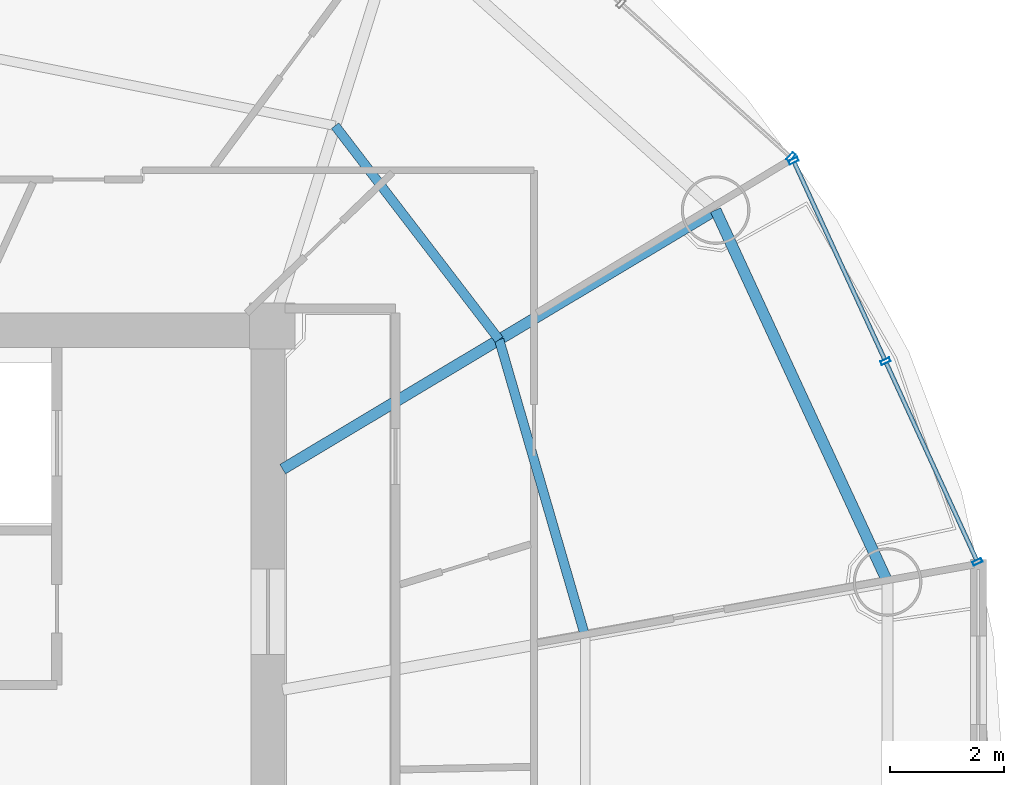
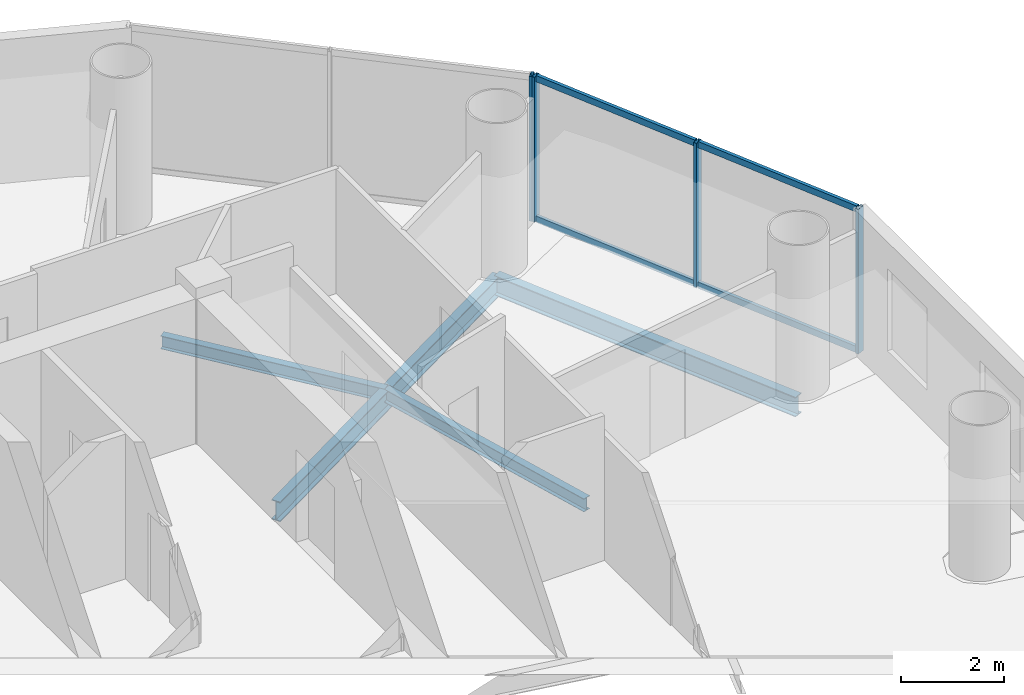
# One storey, part 13 of 26: 8 members, 4 beams, 2 elements without a shape of their own.
"""IFC4 building model written with IfcOpenShell, lengths in metres."""

import ifcopenshell
import ifcopenshell.guid

model = None  # the IFC model being written
_history = None  # IfcOwnerHistory: only IFC2X3 demands one
_inside = {}  # id of a spatial element -> (the spatial element, [elements in it])
_under = {}  # id of a project, library or spatial element -> (it, [spatial elements below it])
_declared = {}  # id of a project -> (the project, [libraries it declares])
_typed = {}  # id of a type object -> (the type object, [elements of that type])
_made_of = {}  # id of a material, layer set ... -> (it, [elements and type objects made of it])


def new_model(schema):
    """Start an empty IFC model of exactly this schema.

    Asked for "IFC4X3", IfcOpenShell would pick the latest addendum, in which some entities
    have other attributes; the version numbers below select the first issue.
    IFC2X3 requires an IfcOwnerHistory on every rooted entity: one is made here for all.
    """
    global model, _history
    if schema == "IFC4X3":
        model = ifcopenshell.file(schema_version=(4, 3, 0, 0))
    else:
        model = ifcopenshell.file(schema=schema)
    _inside.clear()
    _under.clear()
    _declared.clear()
    _typed.clear()
    _made_of.clear()
    _history = None
    if model.schema == "IFC2X3":
        org = make("IfcOrganization", Name="unknown")
        user = make(
            "IfcPersonAndOrganization",
            ThePerson=make("IfcPerson", FamilyName="unknown"),
            TheOrganization=org,
        )
        app = make(
            "IfcApplication",
            ApplicationDeveloper=org,
            Version="unknown",
            ApplicationFullName="unknown",
            ApplicationIdentifier="unknown",
        )
        _history = make(
            "IfcOwnerHistory",
            OwningUser=user,
            OwningApplication=app,
            ChangeAction="ADDED",
            CreationDate=0,
        )
    return model


def make(cls, **values):
    """One entity of the class cls with the attributes given. An attribute that is None is left unset."""
    return model.create_entity(
        cls, **{name: value for name, value in values.items() if value is not None}
    )


def rooted(cls, **values):
    """An entity with a GlobalId (a new one), such as an element, a storey or a relation."""
    return make(cls, GlobalId=ifcopenshell.guid.new(), OwnerHistory=_history, **values)


def si_unit(unit_type, name, prefix=None):
    """IfcSIUnit, for example si_unit("LENGTHUNIT", "METRE", prefix="MILLI")."""
    return make("IfcSIUnit", UnitType=unit_type, Prefix=prefix, Name=name)


def assignment(units):
    """IfcUnitAssignment: the units of a project."""
    return None if units is None else make("IfcUnitAssignment", Units=units)


def point(xyz):
    """IfcCartesianPoint."""
    return None if xyz is None else make("IfcCartesianPoint", Coordinates=xyz)


def direction(xyz):
    """IfcDirection."""
    return None if xyz is None else make("IfcDirection", DirectionRatios=xyz)


def frame(location, z_axis=None, x_axis=None):
    """IfcAxis2Placement3D, a coordinate frame: its origin and axes. An axis left out is left unset."""
    return make(
        "IfcAxis2Placement3D",
        Location=point(location),
        Axis=direction(z_axis),
        RefDirection=direction(x_axis),
    )


def frame_2d(location, x_axis=None):
    """IfcAxis2Placement2D, a coordinate frame in the plane: its origin and x axis."""
    return make(
        "IfcAxis2Placement2D", Location=point(location), RefDirection=direction(x_axis)
    )


def origin():
    """The frame at (0, 0, 0) with its axes left unset."""
    return frame((0.0, 0.0, 0.0))


def origin_2d():
    """The frame at (0, 0) in the plane with its x axis left unset."""
    return frame_2d((0.0, 0.0))


def place(relative_to, where):
    """IfcLocalPlacement: puts the frame where relative to a parent placement (None: the world)."""
    return make(
        "IfcLocalPlacement", PlacementRelTo=relative_to, RelativePlacement=where
    )


def context(
    kind, dimensions, precision=None, world=None, true_north=None, identifier=None
):
    """IfcGeometricRepresentationContext, for example the 3D "Model" context."""
    return make(
        "IfcGeometricRepresentationContext",
        ContextIdentifier=identifier,
        ContextType=kind,
        CoordinateSpaceDimension=dimensions,
        Precision=precision,
        WorldCoordinateSystem=world,
        TrueNorth=true_north,
    )


def subcontext(parent, identifier, kind, view, scale=None):
    """IfcGeometricRepresentationSubContext, for example "Body" below "Model"."""
    return make(
        "IfcGeometricRepresentationSubContext",
        ContextIdentifier=identifier,
        ContextType=kind,
        ParentContext=parent,
        TargetScale=scale,
        TargetView=view,
    )


def project(units=None, contexts=None):
    """IfcProject with its units and contexts."""
    return rooted(
        "IfcProject",
        Name="project",
        RepresentationContexts=contexts,
        UnitsInContext=assignment(units),
    )


def spatial(cls, under=None, at=None, **own):
    """A site, building, storey or space (cls), placed at a placement, below another one or the project."""
    s = rooted(cls, ObjectPlacement=at, **own)
    if under is not None:
        _under.setdefault(under.id(), (under, []))[1].append(s)
    return s


def profile(cls, at=None, kind="AREA", **sizes):
    """A parametric profile (cls). Its sizes go by their IFC names, for example OverallWidth=200.0."""
    return make(cls, ProfileType=kind, Position=at, **sizes)


def hollow_rectangle(**sizes):
    """IfcRectangleHollowProfileDef."""
    return profile("IfcRectangleHollowProfileDef", **sizes)


def i_section(**sizes):
    """IfcIShapeProfileDef."""
    return profile("IfcIShapeProfileDef", **sizes)


def extrude(swept, where, along, depth):
    """IfcExtrudedAreaSolid: the profile swept, set in the frame where, extruded along a direction by depth."""
    return make(
        "IfcExtrudedAreaSolid",
        SweptArea=swept,
        Position=where,
        ExtrudedDirection=direction(along),
        Depth=depth,
    )


def shape(context_of_items, identifier, shape_type, items):
    """IfcShapeRepresentation: the items that make up one representation, for example the "Body"."""
    return make(
        "IfcShapeRepresentation",
        ContextOfItems=context_of_items,
        RepresentationIdentifier=identifier,
        RepresentationType=shape_type,
        Items=items,
    )


def source(mapping_origin, context_of_items, identifier, shape_type, items):
    """IfcRepresentationMap: a shape defined once, which mapped items show again and again."""
    return make(
        "IfcRepresentationMap",
        MappingOrigin=mapping_origin,
        MappedRepresentation=shape(context_of_items, identifier, shape_type, items),
    )


def transform(
    local_origin,
    x_axis=None,
    y_axis=None,
    z_axis=None,
    scale=None,
    scale2=None,
    scale3=None,
    uniform=True,
):
    """IfcCartesianTransformationOperator3D, or its non-uniform kind. x_axis, y_axis, z_axis: its Axis1, 2, 3."""
    if uniform:
        return make(
            "IfcCartesianTransformationOperator3D",
            Axis1=direction(x_axis),
            Axis2=direction(y_axis),
            LocalOrigin=point(local_origin),
            Scale=scale,
            Axis3=direction(z_axis),
        )
    return make(
        "IfcCartesianTransformationOperator3DnonUniform",
        Axis1=direction(x_axis),
        Axis2=direction(y_axis),
        LocalOrigin=point(local_origin),
        Scale=scale,
        Axis3=direction(z_axis),
        Scale2=scale2,
        Scale3=scale3,
    )


def mapped(mapping_source, mapping_target):
    """IfcMappedItem: shows the shape of a source again, moved by a transform."""
    return make(
        "IfcMappedItem", MappingSource=mapping_source, MappingTarget=mapping_target
    )


def material(Name=None, Category=None):
    """IfcMaterial."""
    return make("IfcMaterial", Name=Name, Category=Category)


def material_profile(
    of_material, cross_section, Name=None, Category=None, Priority=None
):
    """IfcMaterialProfile: a cross section and its material."""
    return make(
        "IfcMaterialProfile",
        Name=Name,
        Material=of_material,
        Profile=cross_section,
        Priority=Priority,
        Category=Category,
    )


def profile_set(profiles, Name=None, composite=None):
    """IfcMaterialProfileSet."""
    return make(
        "IfcMaterialProfileSet",
        Name=Name,
        MaterialProfiles=profiles,
        CompositeProfile=composite,
    )


def made_of(thing, what):
    """Note that an element or type object is made of a material, layer set ...; save() writes the relation."""
    if what is not None:
        _made_of.setdefault(what.id(), (what, []))[1].append(thing)
    return thing


def type_object(cls, material=None, **own):
    """A type object (cls), such as IfcWallType, which elements share."""
    return made_of(rooted(cls, **own), material)


def element(
    cls,
    number,
    at=None,
    inside=None,
    cuts=None,
    type_object=None,
    material=None,
    context=None,
    identifier="Body",
    shape_type=None,
    held_by="IfcProductDefinitionShape",
    body=None,
    shapes=None,
    **own,
):
    """One element of the class cls, such as IfcWall. Its Tag is "e" and its number.

    at: its placement. inside: the storey or other place that contains it. cuts: it is an
    opening in that element (IfcRelVoidsElement). A single representation is given by context,
    identifier, shape_type and body (its items); several are given by shapes. held_by: the class
    of the entity that holds the representations. save() writes the other relations.
    """
    e = rooted(cls, Tag="e%d" % number, ObjectPlacement=at, **own)
    if body is not None:
        shapes = [shape(context, identifier, shape_type, body)]
    if shapes is not None:
        e.Representation = make(held_by, Representations=shapes)
    if inside is not None:
        _inside.setdefault(inside.id(), (inside, []))[1].append(e)
    if cuts is not None:
        rooted(
            "IfcRelVoidsElement", RelatingBuildingElement=cuts, RelatedOpeningElement=e
        )
    if type_object is not None:
        _typed.setdefault(type_object.id(), (type_object, []))[1].append(e)
    return made_of(e, material)


def aggregate(whole, parts):
    """IfcRelAggregates: a whole, such as a stair, and the parts it consists of."""
    return rooted("IfcRelAggregates", RelatingObject=whole, RelatedObjects=parts)


def save(model, path):
    """Write the relations noted so far, then the file.

    IfcRelAggregates (storeys below a building ...), IfcRelContainedInSpatialStructure (elements
    in a storey), IfcRelDefinesByType, IfcRelAssociatesMaterial and IfcRelDeclares: one each for
    every whole, place, type object, material and project.
    """
    for whole, parts in _under.values():
        aggregate(whole, parts)
    for where, things in _inside.values():
        rooted(
            "IfcRelContainedInSpatialStructure",
            RelatedElements=things,
            RelatingStructure=where,
        )
    for kind, things in _typed.values():
        rooted("IfcRelDefinesByType", RelatedObjects=things, RelatingType=kind)
    for what, things in _made_of.values():
        rooted("IfcRelAssociatesMaterial", RelatedObjects=things, RelatingMaterial=what)
    for by, libraries in _declared.values():
        rooted("IfcRelDeclares", RelatingContext=by, RelatedDefinitions=libraries)
    model.write(path)


model = new_model("IFC4")

# Units and contexts
model_context = context("Model", 3, precision=1e-05, world=origin(), true_north=direction((-0.2419218956, 0.970295726276)))
body_context = subcontext(model_context, "Body", "Model", "MODEL_VIEW")
ifc_project = project(units=[si_unit("LENGTHUNIT", "METRE"), si_unit("AREAUNIT", "SQUARE_METRE"), si_unit("VOLUMEUNIT", "CUBIC_METRE"), si_unit("PLANEANGLEUNIT", "RADIAN"), si_unit("MASSUNIT", "GRAM", prefix="KILO")], contexts=[model_context])

# Site, building, storey
site_placement = place(None, origin())
site = spatial("IfcSite", under=ifc_project, at=site_placement, CompositionType="ELEMENT")
building_placement = place(site_placement, origin())
building = spatial("IfcBuilding", under=site, at=building_placement, Name="Cobrevalo Terracotta Tower", CompositionType="ELEMENT")
storey_placement = place(building_placement, frame((0.0, 0.0, 209.699951171875)))
storey = spatial("IfcBuildingStorey", under=building, at=storey_placement, Name="L55", CompositionType="ELEMENT", Elevation=209.699951171875)

# Beams
ifc_material_1 = material(Name="Steel S355", Category="steel")
ifc_material_profile_1 = material_profile(ifc_material_1, i_section(OverallWidth=0.194091796875, OverallDepth=0.468994140625, WebThickness=0.011474609375, FlangeThickness=0.0205078125, at=origin_2d()), Name="W 460x106")
ifc_profile_set_1 = profile_set([ifc_material_profile_1], Name="Steel S355")
beam_type_1 = type_object("IfcBeamType", Name="Structural Beam W 460x106 (Steel S355)", PredefinedType="BEAM", material=ifc_profile_set_1)
beam_1_placement = place(storey_placement, frame((54.754150390625, 36.828125, -0.49951171875), z_axis=(-0.858046392192, -0.513572184651, 0.0), x_axis=(0.513572184651, -0.858046392192, 0.0)))
element("IfcBeam", 1, at=beam_1_placement, inside=storey, type_object=beam_type_1, Name="L55 radial floor girder 02", PredefinedType="BEAM", context=body_context, shape_type="SweptSolid", body=[
    extrude(i_section(OverallWidth=0.194091796875, OverallDepth=0.468994140625, WebThickness=0.011474609375, FlangeThickness=0.0205078125, at=origin_2d()), origin(), (0.0, 0.0, 1.0), 8.827392578125),
])
ifc_material_profile_2 = material_profile(ifc_material_1, i_section(OverallWidth=0.1650390625, OverallDepth=0.31005859375, WebThickness=0.005859375, FlangeThickness=0.009765625, at=origin_2d()), Name="W 310x38.7")
ifc_profile_set_2 = profile_set([ifc_material_profile_2], Name="Steel S355")
beam_type_2 = type_object("IfcBeamType", Name="Structural Joist W 310x38.7 (Steel S355)", PredefinedType="JOIST", material=ifc_profile_set_2)
beam_2_placement = place(storey_placement, frame((52.471435546875, 29.378662109375, -0.419921875), z_axis=(-0.278769817131, 0.960357948401, 0.0), x_axis=(-0.960357948401, -0.278769817131, 0.0)))
element("IfcBeam", 2, at=beam_2_placement, inside=storey, type_object=beam_type_2, Name="L55 circumferential secondary floor joist 01", PredefinedType="JOIST", context=body_context, shape_type="SweptSolid", body=[
    extrude(i_section(OverallWidth=0.1650390625, OverallDepth=0.31005859375, WebThickness=0.005859375, FlangeThickness=0.009765625, at=origin_2d()), origin(), (0.0, 0.0, 1.0), 5.396484375),
])
beam_3_placement = place(storey_placement, frame((50.967041015625, 34.561279296875, -0.419921875), z_axis=(-0.608464146296, 0.793581364872, 0.0), x_axis=(-0.793581364872, -0.608464146296, 0.0)))
element("IfcBeam", 3, at=beam_3_placement, inside=storey, type_object=beam_type_2, Name="L55 circumferential secondary floor joist 02", PredefinedType="JOIST", context=body_context, shape_type="SweptSolid", body=[
    extrude(i_section(OverallWidth=0.1650390625, OverallDepth=0.31005859375, WebThickness=0.005859375, FlangeThickness=0.009765625, at=origin_2d()), origin(), (0.0, 0.0, 1.0), 4.716064453125),
])
ifc_material_profile_3 = material_profile(ifc_material_1, i_section(OverallWidth=0.194091796875, OverallDepth=0.468994140625, WebThickness=0.011474609375, FlangeThickness=0.0205078125, at=origin_2d()), Name="W 460x106")
ifc_profile_set_3 = profile_set([ifc_material_profile_3], Name="Steel S355")
beam_type_3 = type_object("IfcBeamType", Name="Structural Spandrel W 460x106 (Steel S355)", PredefinedType="SPANDREL", material=ifc_profile_set_3)
beam_4_placement = place(storey_placement, frame((57.762939453125, 30.3212890625, -0.49951171875), z_axis=(-0.419705965131, 0.907660125176, 0.0), x_axis=(-0.907660125176, -0.419705965131, 0.0)))
element("IfcBeam", 4, at=beam_4_placement, inside=storey, type_object=beam_type_3, Name="L55 perimeter ring spandrel 01", PredefinedType="SPANDREL", context=body_context, shape_type="SweptSolid", body=[
    extrude(i_section(OverallWidth=0.194091796875, OverallDepth=0.468994140625, WebThickness=0.011474609375, FlangeThickness=0.0205078125, at=origin_2d()), origin(), (0.0, 0.0, 1.0), 7.168701171875),
])

# Curtain wall, members
ifc_material_2 = material(Name="Anodized aluminium", Category="aluminium")
curtain_wall_type = type_object("IfcCurtainWallType", Name="Mid-tower high-wind unitised curtain wall CW-U2", PredefinedType="NOTDEFINED", material=ifc_material_2)
curtain_wall_1_placement = place(storey_placement, origin())
curtain_wall_1 = element("IfcCurtainWall", 5, at=curtain_wall_1_placement, inside=storey, type_object=curtain_wall_type, Name="L55 curtain wall CW-L55-S01", PredefinedType="NOTDEFINED")
ifc_material_profile_4 = material_profile(ifc_material_2, hollow_rectangle(XDim=0.074951171875, YDim=0.14990234375, WallThickness=0.00439453125, at=origin_2d()), Name="CWT 75x150")
ifc_profile_set_4 = profile_set([ifc_material_profile_4], Name="Anodized aluminium")
member_type_1 = type_object("IfcMemberType", Name="Tower unitised aluminium transom 75x150", PredefinedType="USERDEFINED", material=ifc_profile_set_4)
shared_shape_1 = source(origin(), body_context, "Body", "SweptSolid", [
    extrude(hollow_rectangle(XDim=0.074951171875, YDim=0.14990234375, WallThickness=0.00439453125, at=origin_2d()), origin(), (0.0, 0.0, 1.0), 3.780029296875),
])
member_1_placement = place(storey_placement, frame((59.318359375, 30.710205078125, 0.050048828125), z_axis=(-0.416705859352, 0.909041377926, 0.0), x_axis=(-0.909041377926, -0.416705859352, 0.0)))
member_1 = element("IfcMember", 6, at=member_1_placement, type_object=member_type_1, Name="CW-L55-S01 transom B01-T1", ObjectType="TRANSOM", PredefinedType="USERDEFINED", context=body_context, shape_type="MappedRepresentation", body=[
    mapped(shared_shape_1, transform((0.0, 0.0, 0.0), scale=1.0)),
])
member_2_placement = place(storey_placement, frame((59.318359375, 30.710205078125, 3.385009765625), z_axis=(-0.416705859352, 0.909041377926, 0.0), x_axis=(-0.909041377926, -0.416705859352, 0.0)))
member_2 = element("IfcMember", 7, at=member_2_placement, type_object=member_type_1, Name="CW-L55-S01 transom B01-T2", ObjectType="TRANSOM", PredefinedType="USERDEFINED", context=body_context, shape_type="MappedRepresentation", body=[
    mapped(shared_shape_1, transform((0.0, 0.0, 0.0), scale=1.0)),
])
member_3_placement = place(storey_placement, frame((57.709716796875, 34.218994140625, 0.050048828125), z_axis=(-0.416705859352, 0.909041377926, 0.0), x_axis=(-0.909041377926, -0.416705859352, 0.0)))
member_3 = element("IfcMember", 8, at=member_3_placement, type_object=member_type_1, Name="CW-L55-S01 transom B02-T1", ObjectType="TRANSOM", PredefinedType="USERDEFINED", context=body_context, shape_type="MappedRepresentation", body=[
    mapped(shared_shape_1, transform((0.0, 0.0, 0.0), scale=1.0)),
])
member_4_placement = place(storey_placement, frame((57.709716796875, 34.218994140625, 3.385009765625), z_axis=(-0.416705859352, 0.909041377926, 0.0), x_axis=(-0.909041377926, -0.416705859352, 0.0)))
member_4 = element("IfcMember", 9, at=member_4_placement, type_object=member_type_1, Name="CW-L55-S01 transom B02-T2", ObjectType="TRANSOM", PredefinedType="USERDEFINED", context=body_context, shape_type="MappedRepresentation", body=[
    mapped(shared_shape_1, transform((0.0, 0.0, 0.0), scale=1.0)),
])
ifc_material_profile_5 = material_profile(ifc_material_2, hollow_rectangle(XDim=0.070068359375, YDim=0.169921875, WallThickness=0.00439453125, at=origin_2d()), Name="CWM 70x170")
ifc_profile_set_5 = profile_set([ifc_material_profile_5], Name="Anodized aluminium")
member_type_2 = type_object("IfcMemberType", Name="Upper tower unitised mullion 70x170", PredefinedType="MULLION", material=ifc_profile_set_5)
shared_shape_2 = source(origin(), body_context, "Body", "SweptSolid", [
    extrude(hollow_rectangle(XDim=0.070068359375, YDim=0.169921875, WallThickness=0.00439453125, at=origin_2d()), origin(), (0.0, 0.0, 1.0), 3.43505859375),
])
member_5_placement = place(storey_placement, frame((59.3349609375, 30.673828125, 0.0), z_axis=(0.0, 0.0, 1.0), x_axis=(-0.41672507912, 0.909032567311, 0.0)))
member_5 = element("IfcMember", 10, at=member_5_placement, type_object=member_type_2, Name="CW-L55-S01 vertical mullion 01", PredefinedType="MULLION", context=body_context, shape_type="MappedRepresentation", body=[
    mapped(shared_shape_2, transform((0.0, 0.0, 0.0), scale=1.0)),
])
member_6_placement = place(storey_placement, frame((57.726318359375, 34.182861328125, 0.0), z_axis=(0.0, 0.0, 1.0), x_axis=(-0.41672507912, 0.909032567311, 0.0)))
member_6 = element("IfcMember", 11, at=member_6_placement, type_object=member_type_2, Name="CW-L55-S01 vertical mullion 02", PredefinedType="MULLION", context=body_context, shape_type="MappedRepresentation", body=[
    mapped(shared_shape_2, transform((0.0, 0.0, 0.0), scale=1.0)),
])
member_7_placement = place(storey_placement, frame((56.11767578125, 37.691650390625, 0.0), z_axis=(0.0, 0.0, 1.0), x_axis=(-0.41672507912, 0.909032567311, 0.0)))
member_7 = element("IfcMember", 12, at=member_7_placement, type_object=member_type_2, Name="CW-L55-S01 vertical mullion 03", PredefinedType="MULLION", context=body_context, shape_type="MappedRepresentation", body=[
    mapped(shared_shape_2, transform((0.0, 0.0, 0.0), scale=1.0)),
])
aggregate(curtain_wall_1, [member_5, member_6, member_7, member_1, member_2, member_3, member_4])

# Curtain wall, member
curtain_wall_2_placement = place(storey_placement, origin())
curtain_wall_2 = element("IfcCurtainWall", 13, at=curtain_wall_2_placement, inside=storey, type_object=curtain_wall_type, Name="L55 curtain wall CW-L55-S02", PredefinedType="NOTDEFINED")
member_8_placement = place(storey_placement, frame((56.071533203125, 37.7548828125, 0.0), z_axis=(0.0, 0.0, 1.0), x_axis=(-0.741987542015, 0.670413668935, 0.0)))
member_8 = element("IfcMember", 14, at=member_8_placement, type_object=member_type_2, Name="CW-L55-S02 vertical mullion 01", PredefinedType="MULLION", context=body_context, shape_type="MappedRepresentation", body=[
    mapped(shared_shape_2, transform((0.0, 0.0, 0.0), scale=1.0)),
])
aggregate(curtain_wall_2, [member_8])

save(model, "model.ifc")
